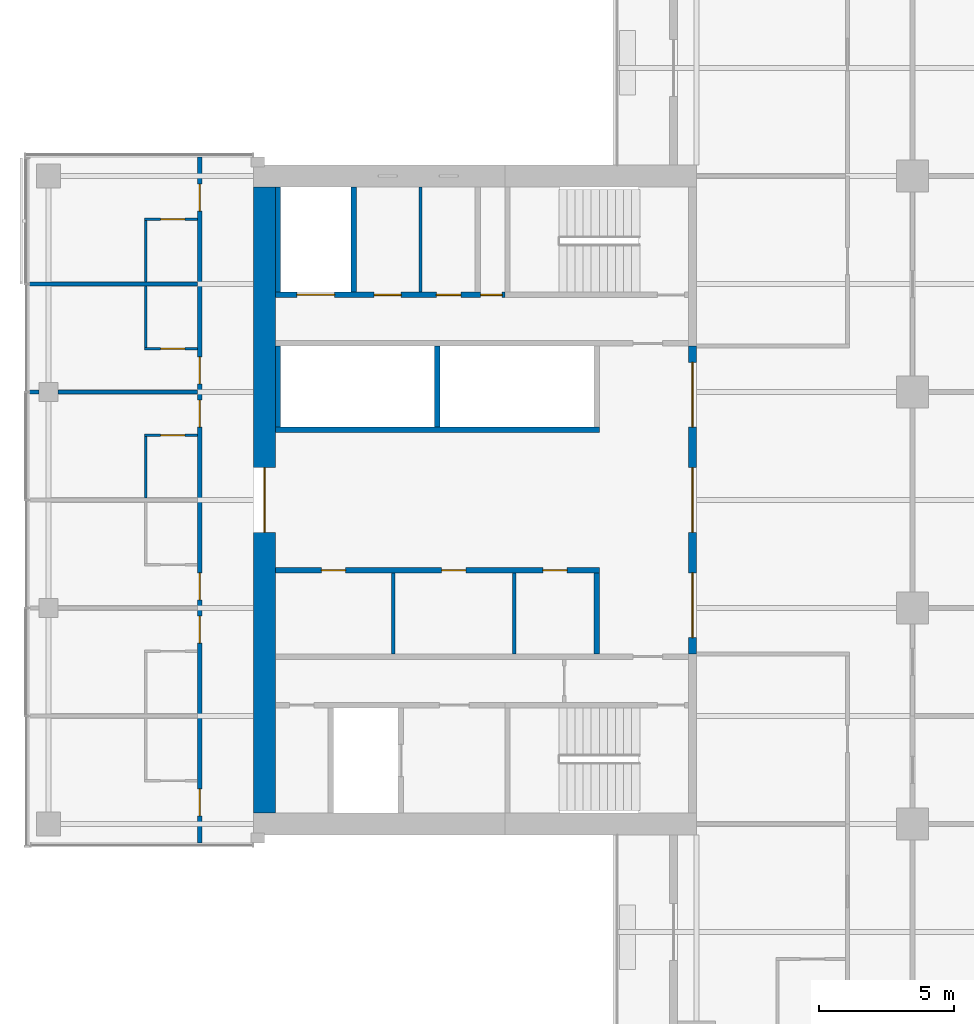
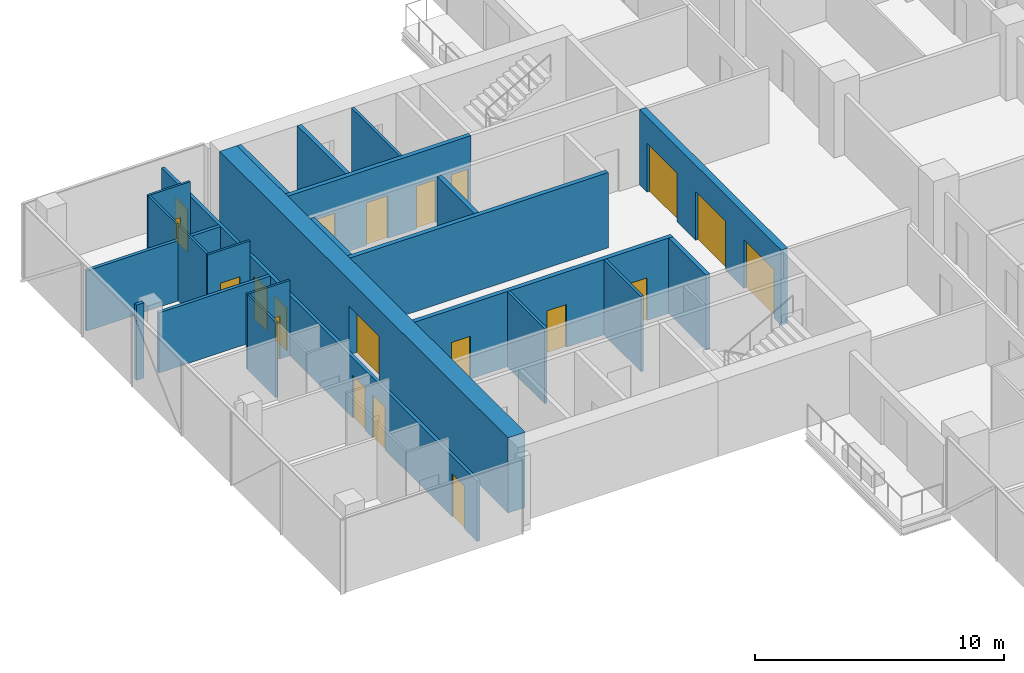
# One storey, part 18 of 27: 23 walls, 20 doors, 20 openings.
"""IFC4 building model written with IfcOpenShell, lengths in metres."""

from ifc_helpers import new_model, si_unit, direction, frame, frame_2d, origin, place, context, subcontext, project, spatial, rectangle, extrude, material, layer, layer_set, type_object, element, fill, save


model = new_model("IFC4")

# Units and contexts
model_context = context("Model", 3, precision=1e-05, world=origin(), true_north=direction((0.0, 1.0)))
body_context = subcontext(model_context, "Body", "Model", "MODEL_VIEW")
ifc_project = project(units=[si_unit("LENGTHUNIT", "METRE"), si_unit("AREAUNIT", "SQUARE_METRE"), si_unit("VOLUMEUNIT", "CUBIC_METRE"), si_unit("PLANEANGLEUNIT", "RADIAN"), si_unit("MASSUNIT", "GRAM", prefix="KILO")], contexts=[model_context])

# Site, building, storey
site_placement = place(None, origin())
site = spatial("IfcSite", under=ifc_project, at=site_placement, CompositionType="ELEMENT")
building_placement = place(site_placement, origin())
building = spatial("IfcBuilding", under=site, at=building_placement, Name="Crosswind Convention Tower", CompositionType="ELEMENT")
storey_placement = place(building_placement, frame((0.0, 0.0, 72.0)))
storey = spatial("IfcBuildingStorey", under=building, at=storey_placement, Name="L12", CompositionType="ELEMENT", Elevation=72.0)

# Wall, opening, door
ifc_material_1 = material(Name="Concrete C60/75", Category="concrete")
ifc_layer_1 = layer(ifc_material_1, 0.800048828125)
ifc_layer_set_1 = layer_set([ifc_layer_1], Name="Concrete C60/75")
wall_type_1 = type_object("IfcWallType", Name="Concrete core wall 800", PredefinedType="SHEAR", material=ifc_layer_set_1)
wall_1_placement = place(storey_placement, frame((97.0, 111.60009765625, 0.0), z_axis=(0.0, 0.0, 1.0), x_axis=(0.0, -1.0, 0.0)))
wall_1 = element("IfcWall", 1, at=wall_1_placement, inside=storey, type_object=wall_type_1, Name="Wall O W L12", PredefinedType="SHEAR", context=body_context, shape_type="SweptSolid", body=[
    extrude(rectangle(XDim=23.2001953125, YDim=0.800048828125, at=frame_2d((11.60009765625, 0.0))), origin(), (0.0, 0.0, 1.0), 3.699951171875),
])
opening_1_placement = place(wall_1_placement, frame((10.39990234375, 0.0, 0.0)))
opening_1 = element("IfcOpeningElement", 2, at=opening_1_placement, cuts=wall_1, Name="Opening D100", PredefinedType="OPENING", context=body_context, shape_type="SweptSolid", body=[
    extrude(rectangle(XDim=2.39990234375, YDim=2.39990234375, at=frame_2d((1.199951171875, 1.199951171875))), frame((0.0, 0.409912109375, 0.0), z_axis=(0.0, -1.0, 0.0), x_axis=(1.0, 0.0, 0.0)), (0.0, 0.0, 1.0), 0.820068359375),
])
ifc_material_2 = material(Name="Steel fire door with glazed vision panels", Category="steel")
door_type_1 = type_object("IfcDoorType", Name="Fire-rated double door 2400x2400", OperationType="DOUBLE_DOOR_SINGLE_SWING", PredefinedType="DOOR", material=ifc_material_2)
door_1_placement = place(opening_1_placement, origin())
door_1 = element("IfcDoor", 3, at=door_1_placement, inside=storey, type_object=door_type_1, Name="Lobby outer door L12", ObjectType="D100", OperationType="DOUBLE_DOOR_SINGLE_SWING", OverallHeight=2.39990234375, OverallWidth=2.39990234375, PredefinedType="DOOR", context=body_context, shape_type="SweptSolid", body=[
    extrude(rectangle(XDim=2.39990234375, YDim=2.39990234375, at=frame_2d((1.199951171875, 1.199951171875))), frame((0.0, 0.02490234375, 0.0), z_axis=(0.0, -1.0, 0.0), x_axis=(1.0, 0.0, 0.0)), (0.0, 0.0, 1.0), 0.050048828125),
])
fill(opening_1, door_1)

# Wall, openings, doors
ifc_material_3 = material(Name="Concrete C50/60", Category="concrete")
ifc_layer_2 = layer(ifc_material_3, 0.300048828125)
ifc_layer_set_2 = layer_set([ifc_layer_2], Name="Concrete C50/60")
wall_type_2 = type_object("IfcWallType", Name="Concrete inner core wall 300", PredefinedType="SHEAR", material=ifc_layer_set_2)
wall_2_placement = place(storey_placement, frame((112.85009765625, 105.699951171875, 0.0), z_axis=(0.0, 0.0, 1.0), x_axis=(0.0, -1.0, 0.0)))
wall_2 = element("IfcWall", 4, at=wall_2_placement, inside=storey, type_object=wall_type_2, Name="Wall SCR W L12", PredefinedType="SHEAR", context=body_context, shape_type="SweptSolid", body=[
    extrude(rectangle(XDim=11.39990234375, YDim=0.300048828125, at=frame_2d((5.699951171875, 0.0))), origin(), (0.0, 0.0, 1.0), 3.699951171875),
])
opening_2_placement = place(wall_2_placement, frame((0.60009765625, 0.0, 0.0)))
opening_2 = element("IfcOpeningElement", 5, at=opening_2_placement, cuts=wall_2, Name="Opening D100", PredefinedType="OPENING", context=body_context, shape_type="SweptSolid", body=[
    extrude(rectangle(XDim=2.39990234375, YDim=2.39990234375, at=frame_2d((1.199951171875, 1.199951171875))), frame((0.0, 0.159912109375, 0.0), z_axis=(0.0, -1.0, 0.0), x_axis=(1.0, 0.0, 0.0)), (0.0, 0.0, 1.0), 0.320068359375),
])
opening_3_placement = place(wall_2_placement, frame((4.5, 0.0, 0.0)))
opening_3 = element("IfcOpeningElement", 6, at=opening_3_placement, cuts=wall_2, Name="Opening D100", PredefinedType="OPENING", context=body_context, shape_type="SweptSolid", body=[
    extrude(rectangle(XDim=2.39990234375, YDim=2.39990234375, at=frame_2d((1.199951171875, 1.199951171875))), frame((0.0, 0.159912109375, 0.0), z_axis=(0.0, -1.0, 0.0), x_axis=(1.0, 0.0, 0.0)), (0.0, 0.0, 1.0), 0.320068359375),
])
opening_4_placement = place(wall_2_placement, frame((8.39990234375, 0.0, 0.0)))
opening_4 = element("IfcOpeningElement", 7, at=opening_4_placement, cuts=wall_2, Name="Opening D100", PredefinedType="OPENING", context=body_context, shape_type="SweptSolid", body=[
    extrude(rectangle(XDim=2.39990234375, YDim=2.39990234375, at=frame_2d((1.199951171875, 1.199951171875))), frame((0.0, 0.159912109375, 0.0), z_axis=(0.0, -1.0, 0.0), x_axis=(1.0, 0.0, 0.0)), (0.0, 0.0, 1.0), 0.320068359375),
])
door_2_placement = place(opening_2_placement, origin())
door_2 = element("IfcDoor", 8, at=door_2_placement, inside=storey, type_object=door_type_1, Name="Lobby door 1 L12", ObjectType="D100", OperationType="DOUBLE_DOOR_SINGLE_SWING", OverallHeight=2.39990234375, OverallWidth=2.39990234375, PredefinedType="DOOR", context=body_context, shape_type="SweptSolid", body=[
    extrude(rectangle(XDim=2.39990234375, YDim=2.39990234375, at=frame_2d((1.199951171875, 1.199951171875))), frame((0.0, 0.02490234375, 0.0), z_axis=(0.0, -1.0, 0.0), x_axis=(1.0, 0.0, 0.0)), (0.0, 0.0, 1.0), 0.050048828125),
])
fill(opening_2, door_2)
door_3_placement = place(opening_3_placement, origin())
door_3 = element("IfcDoor", 9, at=door_3_placement, inside=storey, type_object=door_type_1, Name="Lobby door 2 L12", ObjectType="D100", OperationType="DOUBLE_DOOR_SINGLE_SWING", OverallHeight=2.39990234375, OverallWidth=2.39990234375, PredefinedType="DOOR", context=body_context, shape_type="SweptSolid", body=[
    extrude(rectangle(XDim=2.39990234375, YDim=2.39990234375, at=frame_2d((1.199951171875, 1.199951171875))), frame((0.0, 0.02490234375, 0.0), z_axis=(0.0, -1.0, 0.0), x_axis=(1.0, 0.0, 0.0)), (0.0, 0.0, 1.0), 0.050048828125),
])
fill(opening_3, door_3)
door_4_placement = place(opening_4_placement, origin())
door_4 = element("IfcDoor", 10, at=door_4_placement, inside=storey, type_object=door_type_1, Name="Lobby door 3 L12", ObjectType="D100", OperationType="DOUBLE_DOOR_SINGLE_SWING", OverallHeight=2.39990234375, OverallWidth=2.39990234375, PredefinedType="DOOR", context=body_context, shape_type="SweptSolid", body=[
    extrude(rectangle(XDim=2.39990234375, YDim=2.39990234375, at=frame_2d((1.199951171875, 1.199951171875))), frame((0.0, 0.02490234375, 0.0), z_axis=(0.0, -1.0, 0.0), x_axis=(1.0, 0.0, 0.0)), (0.0, 0.0, 1.0), 0.050048828125),
])
fill(opening_4, door_4)

# Wall
ifc_layer_3 = layer(ifc_material_3, 0.199951171875)
ifc_layer_set_3 = layer_set([ifc_layer_3], Name="Concrete C50/60")
wall_type_3 = type_object("IfcWallType", Name="Concrete shaft and stair wall 200", PredefinedType="SHEAR", material=ifc_layer_set_3)
wall_3_placement = place(storey_placement, frame((109.300048828125, 97.300048828125, 0.0), z_axis=(0.0, 0.0, 1.0), x_axis=(0.0, -1.0, 0.0)))
element("IfcWall", 11, at=wall_3_placement, inside=storey, type_object=wall_type_3, Name="Wall RPEND W L12", PredefinedType="SHEAR", context=body_context, shape_type="SweptSolid", body=[
    extrude(rectangle(XDim=3.0, YDim=0.199951171875, at=frame_2d((1.5, 0.0))), origin(), (0.0, 0.0, 1.0), 3.699951171875),
])

# Wall, openings, doors
wall_4_placement = place(storey_placement, frame((109.39990234375, 97.39990234375, 0.0), z_axis=(0.0, 0.0, 1.0), x_axis=(-1.0, 0.0, 0.0)))
wall_4 = element("IfcWall", 12, at=wall_4_placement, inside=storey, type_object=wall_type_3, Name="Wall RPFRONT W L12", PredefinedType="SHEAR", context=body_context, shape_type="SweptSolid", body=[
    extrude(rectangle(XDim=12.0, YDim=0.199951171875, at=frame_2d((6.0, 0.0))), origin(), (0.0, 0.0, 1.0), 3.699951171875),
])
opening_5_placement = place(wall_4_placement, frame((1.19384765625, 0.0, 0.0)))
opening_5 = element("IfcOpeningElement", 13, at=opening_5_placement, cuts=wall_4, Name="Opening D106", PredefinedType="OPENING", context=body_context, shape_type="SweptSolid", body=[
    extrude(rectangle(XDim=0.89990234375, YDim=2.10009765625, at=frame_2d((0.449951171875, 1.050048828125))), frame((0.0, 0.10986328125, 0.0), z_axis=(0.0, -1.0, 0.0), x_axis=(1.0, 0.0, 0.0)), (0.0, 0.0, 1.0), 0.219970703125),
])
opening_6_placement = place(wall_4_placement, frame((4.94189453125, 0.0, 0.0)))
opening_6 = element("IfcOpeningElement", 14, at=opening_6_placement, cuts=wall_4, Name="Opening D106", PredefinedType="OPENING", context=body_context, shape_type="SweptSolid", body=[
    extrude(rectangle(XDim=0.89990234375, YDim=2.10009765625, at=frame_2d((0.449951171875, 1.050048828125))), frame((0.0, 0.10986328125, 0.0), z_axis=(0.0, -1.0, 0.0), x_axis=(1.0, 0.0, 0.0)), (0.0, 0.0, 1.0), 0.219970703125),
])
opening_7_placement = place(wall_4_placement, frame((9.398193359375, 0.0, 0.0)))
opening_7 = element("IfcOpeningElement", 15, at=opening_7_placement, cuts=wall_4, Name="Opening D106", PredefinedType="OPENING", context=body_context, shape_type="SweptSolid", body=[
    extrude(rectangle(XDim=0.89990234375, YDim=2.10009765625, at=frame_2d((0.449951171875, 1.050048828125))), frame((0.0, 0.10986328125, 0.0), z_axis=(0.0, -1.0, 0.0), x_axis=(1.0, 0.0, 0.0)), (0.0, 0.0, 1.0), 0.219970703125),
])
ifc_material_4 = material(Name="Timber door", Category="wood")
door_type_2 = type_object("IfcDoorType", Name="Single leaf door 900x2100", OperationType="NOTDEFINED", PredefinedType="DOOR", material=ifc_material_4)
door_5_placement = place(opening_5_placement, origin())
door_5 = element("IfcDoor", 16, at=door_5_placement, inside=storey, type_object=door_type_2, Name="Door to meeting room L12", ObjectType="D106", OperationType="SINGLE_SWING_RIGHT", OverallHeight=2.10009765625, OverallWidth=0.89990234375, PredefinedType="DOOR", context=body_context, shape_type="SweptSolid", body=[
    extrude(rectangle(XDim=0.89990234375, YDim=2.10009765625, at=frame_2d((0.449951171875, 1.050048828125))), frame((0.0, 0.02490234375, 0.0), z_axis=(0.0, -1.0, 0.0), x_axis=(1.0, 0.0, 0.0)), (0.0, 0.0, 1.0), 0.050048828125),
])
fill(opening_5, door_5)
door_6_placement = place(opening_6_placement, origin())
door_6 = element("IfcDoor", 17, at=door_6_placement, inside=storey, type_object=door_type_2, Name="Door to business centre L12", ObjectType="D106", OperationType="SINGLE_SWING_RIGHT", OverallHeight=2.10009765625, OverallWidth=0.89990234375, PredefinedType="DOOR", context=body_context, shape_type="SweptSolid", body=[
    extrude(rectangle(XDim=0.89990234375, YDim=2.10009765625, at=frame_2d((0.449951171875, 1.050048828125))), frame((0.0, 0.02490234375, 0.0), z_axis=(0.0, -1.0, 0.0), x_axis=(1.0, 0.0, 0.0)), (0.0, 0.0, 1.0), 0.050048828125),
])
fill(opening_6, door_6)
door_7_placement = place(opening_7_placement, origin())
door_7 = element("IfcDoor", 18, at=door_7_placement, inside=storey, type_object=door_type_2, Name="Door to ice and vending room L12", ObjectType="D106", OperationType="SINGLE_SWING_RIGHT", OverallHeight=2.10009765625, OverallWidth=0.89990234375, PredefinedType="DOOR", context=body_context, shape_type="SweptSolid", body=[
    extrude(rectangle(XDim=0.89990234375, YDim=2.10009765625, at=frame_2d((0.449951171875, 1.050048828125))), frame((0.0, 0.02490234375, 0.0), z_axis=(0.0, -1.0, 0.0), x_axis=(1.0, 0.0, 0.0)), (0.0, 0.0, 1.0), 0.050048828125),
])
fill(opening_7, door_7)

# Walls
for number, where, z_axis, x_axis, name in (
    (19, (103.39990234375, 105.699951171875, 0.0), (0.0, 0.0, 1.0), (0.0, -1.0, 0.0), "Wall RMSEP W L12"),
    (20, (97.5, 105.699951171875, 0.0), (0.0, 0.0, 1.0), (0.0, -1.0, 0.0), "Wall RMEAST W L12"),
):
    element("IfcWall", number, at=place(storey_placement, frame(where, z_axis=z_axis, x_axis=x_axis)), inside=storey, type_object=wall_type_3, Name=name, PredefinedType="SHEAR", context=body_context, shape_type="SweptSolid", body=[
        extrude(rectangle(XDim=3.0, YDim=0.199951171875, at=frame_2d((1.5, 0.0))), origin(), (0.0, 0.0, 1.0), 3.699951171875),
    ])
wall_5_placement = place(storey_placement, frame((109.39990234375, 102.60009765625, 0.0), z_axis=(0.0, 0.0, 1.0), x_axis=(-1.0, 0.0, 0.0)))
element("IfcWall", 21, at=wall_5_placement, inside=storey, type_object=wall_type_3, Name="Wall RMFRONT W L12", PredefinedType="SHEAR", context=body_context, shape_type="SweptSolid", body=[
    extrude(rectangle(XDim=12.0, YDim=0.199951171875, at=frame_2d((6.0, 0.0))), origin(), (0.0, 0.0, 1.0), 3.699951171875),
])
for number, where, z_axis, x_axis, name in (
    (22, (100.300048828125, 111.60009765625, 0.0), (0.0, 0.0, 1.0), (0.0, -1.0, 0.0), "Wall MFSW W L12"),
    (23, (97.5, 111.60009765625, 0.0), (0.0, 0.0, 1.0), (0.0, -1.0, 0.0), "Wall MFSE W L12"),
):
    element("IfcWall", number, at=place(storey_placement, frame(where, z_axis=z_axis, x_axis=x_axis)), inside=storey, type_object=wall_type_3, Name=name, PredefinedType="SHEAR", context=body_context, shape_type="SweptSolid", body=[
        extrude(rectangle(XDim=3.900146484375, YDim=0.199951171875, at=frame_2d((1.9501953125, 0.0))), origin(), (0.0, 0.0, 1.0), 3.699951171875),
    ])

# Wall, openings, doors
wall_6_placement = place(storey_placement, frame((105.89990234375, 107.60009765625, 0.0), z_axis=(0.0, 0.0, 1.0), x_axis=(-1.0, 0.0, 0.0)))
wall_6 = element("IfcWall", 24, at=wall_6_placement, inside=storey, type_object=wall_type_3, Name="Wall MCX W L12", PredefinedType="SHEAR", context=body_context, shape_type="SweptSolid", body=[
    extrude(rectangle(XDim=8.5, YDim=0.199951171875, at=frame_2d((4.25, 0.0))), origin(), (0.0, 0.0, 1.0), 3.699951171875),
])
opening_8_placement = place(wall_6_placement, frame((0.10009765625, 0.0, 0.0)))
opening_8 = element("IfcOpeningElement", 25, at=opening_8_placement, cuts=wall_6, Name="Opening D105", PredefinedType="OPENING", context=body_context, shape_type="SweptSolid", body=[
    extrude(rectangle(XDim=0.800048828125, YDim=2.10009765625, at=frame_2d((0.39990234375, 1.050048828125))), frame((0.0, 0.10986328125, 0.0), z_axis=(0.0, -1.0, 0.0), x_axis=(1.0, 0.0, 0.0)), (0.0, 0.0, 1.0), 0.219970703125),
])
opening_9_placement = place(wall_6_placement, frame((1.630859375, 0.0, 0.0)))
opening_9 = element("IfcOpeningElement", 26, at=opening_9_placement, cuts=wall_6, Name="Opening D106", PredefinedType="OPENING", context=body_context, shape_type="SweptSolid", body=[
    extrude(rectangle(XDim=0.89990234375, YDim=2.10009765625, at=frame_2d((0.449951171875, 1.050048828125))), frame((0.0, 0.10986328125, 0.0), z_axis=(0.0, -1.0, 0.0), x_axis=(1.0, 0.0, 0.0)), (0.0, 0.0, 1.0), 0.219970703125),
])
opening_10_placement = place(wall_6_placement, frame((3.84326171875, 0.0, 0.0)))
opening_10 = element("IfcOpeningElement", 27, at=opening_10_placement, cuts=wall_6, Name="Opening D103", PredefinedType="OPENING", context=body_context, shape_type="SweptSolid", body=[
    extrude(rectangle(XDim=1.0, YDim=2.10009765625, at=frame_2d((0.5, 1.050048828125))), frame((0.0, 0.10986328125, 0.0), z_axis=(0.0, -1.0, 0.0), x_axis=(1.0, 0.0, 0.0)), (0.0, 0.0, 1.0), 0.219970703125),
])
opening_11_placement = place(wall_6_placement, frame((6.300048828125, 0.0, 0.0)))
opening_11 = element("IfcOpeningElement", 28, at=opening_11_placement, cuts=wall_6, Name="Opening LD2", PredefinedType="OPENING", context=body_context, shape_type="SweptSolid", body=[
    extrude(rectangle(XDim=1.39990234375, YDim=2.10009765625, at=frame_2d((0.699951171875, 1.050048828125))), frame((0.0, 0.10986328125, 0.0), z_axis=(0.0, -1.0, 0.0), x_axis=(1.0, 0.0, 0.0)), (0.0, 0.0, 1.0), 0.219970703125),
])
ifc_material_5 = material(Name="Steel fire door", Category="steel")
door_type_3 = type_object("IfcDoorType", Name="Fire-rated single door 1000x2100", OperationType="NOTDEFINED", PredefinedType="DOOR", material=ifc_material_5)
door_8_placement = place(opening_10_placement, frame((1.0, 0.0, 0.0), z_axis=(0.0, 0.0, 1.0), x_axis=(-1.0, 0.0, 0.0)))
door_8 = element("IfcDoor", 29, at=door_8_placement, inside=storey, type_object=door_type_3, Name="Door to accessible wc L12", ObjectType="D103", OperationType="SINGLE_SWING_LEFT", OverallHeight=2.10009765625, OverallWidth=1.0, PredefinedType="DOOR", context=body_context, shape_type="SweptSolid", body=[
    extrude(rectangle(XDim=1.0, YDim=2.10009765625, at=frame_2d((0.5, 1.050048828125))), frame((0.0, 0.02490234375, 0.0), z_axis=(0.0, -1.0, 0.0), x_axis=(1.0, 0.0, 0.0)), (0.0, 0.0, 1.0), 0.050048828125),
])
fill(opening_10, door_8)
ifc_material_6 = material(Name="Stainless steel", Category="steel")
door_type_4 = type_object("IfcDoorType", Name="Lift landing door 1400x2100", OperationType="DOUBLE_DOOR_SLIDING", PredefinedType="DOOR", material=ifc_material_6)
door_9_placement = place(opening_11_placement, origin())
door_9 = element("IfcDoor", 30, at=door_9_placement, inside=storey, type_object=door_type_4, Name="Landing door SV2 L12", ObjectType="LD2", OperationType="DOUBLE_DOOR_SLIDING", OverallHeight=2.10009765625, OverallWidth=1.39990234375, PredefinedType="DOOR", context=body_context, shape_type="SweptSolid", body=[
    extrude(rectangle(XDim=1.39990234375, YDim=2.10009765625, at=frame_2d((0.699951171875, 1.050048828125))), frame((0.0, 0.02490234375, 0.0), z_axis=(0.0, -1.0, 0.0), x_axis=(1.0, 0.0, 0.0)), (0.0, 0.0, 1.0), 0.050048828125),
])
fill(opening_11, door_9)
door_type_5 = type_object("IfcDoorType", Name="Riser access door 800x2100", OperationType="NOTDEFINED", PredefinedType="DOOR", material=ifc_material_5)
door_10_placement = place(opening_8_placement, frame((0.800048828125, 0.0, 0.0), z_axis=(0.0, 0.0, 1.0), x_axis=(-1.0, 0.0, 0.0)))
door_10 = element("IfcDoor", 31, at=door_10_placement, inside=storey, type_object=door_type_5, Name="Riser door L12", ObjectType="D105", OperationType="SINGLE_SWING_LEFT", OverallHeight=2.10009765625, OverallWidth=0.800048828125, PredefinedType="DOOR", context=body_context, shape_type="SweptSolid", body=[
    extrude(rectangle(XDim=0.800048828125, YDim=2.10009765625, at=frame_2d((0.39990234375, 1.050048828125))), frame((0.0, 0.02490234375, 0.0), z_axis=(0.0, -1.0, 0.0), x_axis=(1.0, 0.0, 0.0)), (0.0, 0.0, 1.0), 0.050048828125),
])
fill(opening_8, door_10)
door_11_placement = place(opening_9_placement, frame((0.89990234375, 0.0, 0.0), z_axis=(0.0, 0.0, 1.0), x_axis=(-1.0, 0.0, 0.0)))
door_11 = element("IfcDoor", 32, at=door_11_placement, inside=storey, type_object=door_type_2, Name="Door to wc L12", ObjectType="D106", OperationType="SINGLE_SWING_LEFT", OverallHeight=2.10009765625, OverallWidth=0.89990234375, PredefinedType="DOOR", context=body_context, shape_type="SweptSolid", body=[
    extrude(rectangle(XDim=0.89990234375, YDim=2.10009765625, at=frame_2d((0.449951171875, 1.050048828125))), frame((0.0, 0.02490234375, 0.0), z_axis=(0.0, -1.0, 0.0), x_axis=(1.0, 0.0, 0.0)), (0.0, 0.0, 1.0), 0.050048828125),
])
fill(opening_9, door_11)

# Walls
ifc_material_7 = material(Name="Gypsum plasterboard partition", Category="gypsum")
ifc_layer_4 = layer(ifc_material_7, 0.125)
ifc_layer_set_4 = layer_set([ifc_layer_4], Name="Drywall partition wall 125")
wall_type_4 = type_object("IfcWallType", Name="Drywall partition wall 125", PredefinedType="PARTITIONING", material=ifc_layer_set_4)
for number, where, z_axis, x_axis, name in (
    (33, (106.25, 97.300048828125, 0.0), (0.0, 0.0, 1.0), (0.0, -1.0, 0.0), "Wall RPP1 W L12"),
    (34, (101.76611328125, 97.300048828125, 0.0), (0.0, 0.0, 1.0), (0.0, -1.0, 0.0), "Wall RPP2 W L12"),
):
    element("IfcWall", number, at=place(storey_placement, frame(where, z_axis=z_axis, x_axis=x_axis)), inside=storey, type_object=wall_type_4, Name=name, PredefinedType="PARTITIONING", context=body_context, shape_type="SweptSolid", body=[
        extrude(rectangle(XDim=3.0, YDim=0.125, at=frame_2d((1.5, 0.0))), origin(), (0.0, 0.0, 1.0), 3.699951171875),
    ])
wall_7_placement = place(storey_placement, frame((102.77587890625, 111.60009765625, 0.0), z_axis=(0.0, 0.0, 1.0), x_axis=(0.0, -1.0, 0.0)))
element("IfcWall", 35, at=wall_7_placement, inside=storey, type_object=wall_type_4, Name="Wall MWP1 W L12", PredefinedType="PARTITIONING", context=body_context, shape_type="SweptSolid", body=[
    extrude(rectangle(XDim=3.900146484375, YDim=0.125, at=frame_2d((1.9501953125, 0.0))), origin(), (0.0, 0.0, 1.0), 3.699951171875),
])
ifc_material_8 = material(Name="Acoustic plasterboard partition", Category="gypsum")
ifc_layer_5 = layer(ifc_material_8, 0.14990234375)
ifc_layer_set_5 = layer_set([ifc_layer_5], Name="GUEST ROOM WALL 150")
wall_type_5 = type_object("IfcWallType", Name="GUEST ROOM WALL 150", PredefinedType="PARTITIONING", material=ifc_layer_set_5)
wall_8_placement = place(storey_placement, frame((88.300048828125, 104.0, 0.0), z_axis=(0.0, 0.0, 1.0), x_axis=(1.0, 0.0, 0.0)))
element("IfcWall", 36, at=wall_8_placement, inside=storey, type_object=wall_type_5, Name="Guest Room Wall 38", PredefinedType="PARTITIONING", context=body_context, shape_type="SweptSolid", body=[
    extrude(rectangle(XDim=0.349853515625, YDim=0.14990234375, at=frame_2d((0.1748046875, 0.0))), origin(), (0.0, 0.0, 1.0), 3.699951171875),
])
wall_9_placement = place(storey_placement, frame((89.35009765625, 104.0, 0.0), z_axis=(0.0, 0.0, 1.0), x_axis=(1.0, 0.0, 0.0)))
element("IfcWall", 37, at=wall_9_placement, inside=storey, type_object=wall_type_5, Name="Guest Room Wall 39", PredefinedType="PARTITIONING", context=body_context, shape_type="SweptSolid", body=[
    extrude(rectangle(XDim=5.1748046875, YDim=0.14990234375, at=frame_2d((2.58740234375, 0.0))), origin(), (0.0, 0.0, 1.0), 2.956298828125),
])
wall_10_placement = place(storey_placement, frame((88.300048828125, 108.0, 0.0), z_axis=(0.0, 0.0, 1.0), x_axis=(1.0, 0.0, 0.0)))
element("IfcWall", 38, at=wall_10_placement, inside=storey, type_object=wall_type_5, Name="Guest Room Wall 47", PredefinedType="PARTITIONING", context=body_context, shape_type="SweptSolid", body=[
    extrude(rectangle(XDim=6.224853515625, YDim=0.14990234375, at=frame_2d((3.1123046875, 0.0))), origin(), (0.0, 0.0, 1.0), 2.962890625),
])

# Wall, openings, doors
wall_11_placement = place(storey_placement, frame((94.60009765625, 87.300048828125, 0.0), z_axis=(0.0, 0.0, 1.0), x_axis=(0.0, 1.0, 0.0)))
wall_11 = element("IfcWall", 39, at=wall_11_placement, inside=storey, type_object=wall_type_5, Name="Guest Room Wall 74", PredefinedType="PARTITIONING", context=body_context, shape_type="SweptSolid", body=[
    extrude(rectangle(XDim=25.39990234375, YDim=0.14990234375, at=frame_2d((12.699951171875, 0.0))), origin(), (0.0, 0.0, 1.0), 2.956298828125),
])
opening_12_placement = place(wall_11_placement, frame((1.0, 0.0, 0.0)))
opening_12 = element("IfcOpeningElement", 40, at=opening_12_placement, cuts=wall_11, Name="Opening 12.045", PredefinedType="OPENING", context=body_context, shape_type="SweptSolid", body=[
    extrude(rectangle(XDim=1.0, YDim=2.10009765625, at=frame_2d((0.5, 1.050048828125))), frame((0.0, 0.0849609375, 0.0), z_axis=(0.0, -1.0, 0.0), x_axis=(1.0, 0.0, 0.0)), (0.0, 0.0, 1.0), 0.169921875),
])
opening_13_placement = place(wall_11_placement, frame((7.39990234375, 0.0, 0.0)))
opening_13 = element("IfcOpeningElement", 41, at=opening_13_placement, cuts=wall_11, Name="Opening 12.047", PredefinedType="OPENING", context=body_context, shape_type="SweptSolid", body=[
    extrude(rectangle(XDim=1.0, YDim=2.10009765625, at=frame_2d((0.5, 1.050048828125))), frame((0.0, 0.0849609375, 0.0), z_axis=(0.0, -1.0, 0.0), x_axis=(1.0, 0.0, 0.0)), (0.0, 0.0, 1.0), 0.169921875),
])
opening_14_placement = place(wall_11_placement, frame((9.0, 0.0, 0.0)))
opening_14 = element("IfcOpeningElement", 42, at=opening_14_placement, cuts=wall_11, Name="Opening 12.049", PredefinedType="OPENING", context=body_context, shape_type="SweptSolid", body=[
    extrude(rectangle(XDim=1.0, YDim=2.10009765625, at=frame_2d((0.5, 1.050048828125))), frame((0.0, 0.0849609375, 0.0), z_axis=(0.0, -1.0, 0.0), x_axis=(1.0, 0.0, 0.0)), (0.0, 0.0, 1.0), 0.169921875),
])
opening_15_placement = place(wall_11_placement, frame((15.39990234375, 0.0, 0.0)))
opening_15 = element("IfcOpeningElement", 43, at=opening_15_placement, cuts=wall_11, Name="Opening 12.051", PredefinedType="OPENING", context=body_context, shape_type="SweptSolid", body=[
    extrude(rectangle(XDim=1.0, YDim=2.10009765625, at=frame_2d((0.5, 1.050048828125))), frame((0.0, 0.0849609375, 0.0), z_axis=(0.0, -1.0, 0.0), x_axis=(1.0, 0.0, 0.0)), (0.0, 0.0, 1.0), 0.169921875),
])
opening_16_placement = place(wall_11_placement, frame((17.0, 0.0, 0.0)))
opening_16 = element("IfcOpeningElement", 44, at=opening_16_placement, cuts=wall_11, Name="Opening 12.053", PredefinedType="OPENING", context=body_context, shape_type="SweptSolid", body=[
    extrude(rectangle(XDim=1.0, YDim=2.10009765625, at=frame_2d((0.5, 1.050048828125))), frame((0.0, 0.0849609375, 0.0), z_axis=(0.0, -1.0, 0.0), x_axis=(1.0, 0.0, 0.0)), (0.0, 0.0, 1.0), 0.169921875),
])
opening_17_placement = place(wall_11_placement, frame((23.39990234375, 0.0, 0.0)))
opening_17 = element("IfcOpeningElement", 45, at=opening_17_placement, cuts=wall_11, Name="Opening 12.055", PredefinedType="OPENING", context=body_context, shape_type="SweptSolid", body=[
    extrude(rectangle(XDim=1.0, YDim=2.10009765625, at=frame_2d((0.5, 1.050048828125))), frame((0.0, 0.0849609375, 0.0), z_axis=(0.0, -1.0, 0.0), x_axis=(1.0, 0.0, 0.0)), (0.0, 0.0, 1.0), 0.169921875),
])
ifc_material_9 = material(Name="Timber fire door", Category="wood")
door_type_6 = type_object("IfcDoorType", Name="GUEST ROOM DOOR 1000X2100", OperationType="NOTDEFINED", PredefinedType="DOOR", material=ifc_material_9)
door_12_placement = place(opening_12_placement, origin())
door_12 = element("IfcDoor", 46, at=door_12_placement, inside=storey, type_object=door_type_6, Name="Door 12.045", ObjectType="D1", OperationType="SINGLE_SWING_RIGHT", OverallHeight=2.10009765625, OverallWidth=1.0, PredefinedType="DOOR", context=body_context, shape_type="SweptSolid", body=[
    extrude(rectangle(XDim=1.0, YDim=2.10009765625, at=frame_2d((0.5, 1.050048828125))), frame((0.0, 0.02490234375, 0.0), z_axis=(0.0, -1.0, 0.0), x_axis=(1.0, 0.0, 0.0)), (0.0, 0.0, 1.0), 0.050048828125),
])
fill(opening_12, door_12)
door_13_placement = place(opening_13_placement, origin())
door_13 = element("IfcDoor", 47, at=door_13_placement, inside=storey, type_object=door_type_6, Name="Door 12.047", ObjectType="D1", OperationType="SINGLE_SWING_RIGHT", OverallHeight=2.10009765625, OverallWidth=1.0, PredefinedType="DOOR", context=body_context, shape_type="SweptSolid", body=[
    extrude(rectangle(XDim=1.0, YDim=2.10009765625, at=frame_2d((0.5, 1.050048828125))), frame((0.0, 0.02490234375, 0.0), z_axis=(0.0, -1.0, 0.0), x_axis=(1.0, 0.0, 0.0)), (0.0, 0.0, 1.0), 0.050048828125),
])
fill(opening_13, door_13)
door_14_placement = place(opening_14_placement, origin())
door_14 = element("IfcDoor", 48, at=door_14_placement, inside=storey, type_object=door_type_6, Name="Door 12.049", ObjectType="D1", OperationType="SINGLE_SWING_RIGHT", OverallHeight=2.10009765625, OverallWidth=1.0, PredefinedType="DOOR", context=body_context, shape_type="SweptSolid", body=[
    extrude(rectangle(XDim=1.0, YDim=2.10009765625, at=frame_2d((0.5, 1.050048828125))), frame((0.0, 0.02490234375, 0.0), z_axis=(0.0, -1.0, 0.0), x_axis=(1.0, 0.0, 0.0)), (0.0, 0.0, 1.0), 0.050048828125),
])
fill(opening_14, door_14)
door_15_placement = place(opening_15_placement, origin())
door_15 = element("IfcDoor", 49, at=door_15_placement, inside=storey, type_object=door_type_6, Name="Door 12.051", ObjectType="D1", OperationType="SINGLE_SWING_RIGHT", OverallHeight=2.10009765625, OverallWidth=1.0, PredefinedType="DOOR", context=body_context, shape_type="SweptSolid", body=[
    extrude(rectangle(XDim=1.0, YDim=2.10009765625, at=frame_2d((0.5, 1.050048828125))), frame((0.0, 0.02490234375, 0.0), z_axis=(0.0, -1.0, 0.0), x_axis=(1.0, 0.0, 0.0)), (0.0, 0.0, 1.0), 0.050048828125),
])
fill(opening_15, door_15)
door_16_placement = place(opening_16_placement, origin())
door_16 = element("IfcDoor", 50, at=door_16_placement, inside=storey, type_object=door_type_6, Name="Door 12.053", ObjectType="D1", OperationType="SINGLE_SWING_RIGHT", OverallHeight=2.10009765625, OverallWidth=1.0, PredefinedType="DOOR", context=body_context, shape_type="SweptSolid", body=[
    extrude(rectangle(XDim=1.0, YDim=2.10009765625, at=frame_2d((0.5, 1.050048828125))), frame((0.0, 0.02490234375, 0.0), z_axis=(0.0, -1.0, 0.0), x_axis=(1.0, 0.0, 0.0)), (0.0, 0.0, 1.0), 0.050048828125),
])
fill(opening_16, door_16)
door_17_placement = place(opening_17_placement, origin())
door_17 = element("IfcDoor", 51, at=door_17_placement, inside=storey, type_object=door_type_6, Name="Door 12.055", ObjectType="D1", OperationType="SINGLE_SWING_LEFT", OverallHeight=2.10009765625, OverallWidth=1.0, PredefinedType="DOOR", context=body_context, shape_type="SweptSolid", body=[
    extrude(rectangle(XDim=1.0, YDim=2.10009765625, at=frame_2d((0.5, 1.050048828125))), frame((0.0, 0.02490234375, 0.0), z_axis=(0.0, -1.0, 0.0), x_axis=(1.0, 0.0, 0.0)), (0.0, 0.0, 1.0), 0.050048828125),
])
fill(opening_17, door_17)

# Wall, opening, door
ifc_material_10 = material(Name="Water-resistant plasterboard partition", Category="gypsum")
ifc_layer_6 = layer(ifc_material_10, 0.10009765625)
ifc_layer_set_6 = layer_set([ifc_layer_6], Name="WET ROOM PARTITION 100")
wall_type_6 = type_object("IfcWallType", Name="WET ROOM PARTITION 100", PredefinedType="PLUMBINGWALL", material=ifc_layer_set_6)
wall_12_placement = place(storey_placement, frame((92.550048828125, 102.39990234375, 0.0), z_axis=(0.0, 0.0, 1.0), x_axis=(1.0, 0.0, 0.0)))
wall_12 = element("IfcWall", 52, at=wall_12_placement, inside=storey, type_object=wall_type_6, Name="Wet Room Partition 37", PredefinedType="PLUMBINGWALL", context=body_context, shape_type="SweptSolid", body=[
    extrude(rectangle(XDim=1.974853515625, YDim=0.10009765625, at=frame_2d((0.9873046875, 0.0))), origin(), (0.0, 0.0, 1.0), 3.699951171875),
])
opening_18_placement = place(wall_12_placement, frame((0.60009765625, 0.0, 0.0)))
opening_18 = element("IfcOpeningElement", 53, at=opening_18_placement, cuts=wall_12, Name="Opening 12.052", PredefinedType="OPENING", context=body_context, shape_type="SweptSolid", body=[
    extrude(rectangle(XDim=0.89990234375, YDim=2.10009765625, at=frame_2d((0.449951171875, 1.050048828125))), frame((0.0, 0.06005859375, 0.0), z_axis=(0.0, -1.0, 0.0), x_axis=(1.0, 0.0, 0.0)), (0.0, 0.0, 1.0), 0.1201171875),
])
door_type_7 = type_object("IfcDoorType", Name="EN-SUITE DOOR 900X2100", OperationType="NOTDEFINED", PredefinedType="DOOR", material=ifc_material_4)
door_18_placement = place(opening_18_placement, frame((0.89990234375, 0.0, 0.0), z_axis=(0.0, 0.0, 1.0), x_axis=(-1.0, 0.0, 0.0)))
door_18 = element("IfcDoor", 54, at=door_18_placement, inside=storey, type_object=door_type_7, Name="Door 12.052", ObjectType="D2", OperationType="SINGLE_SWING_LEFT", OverallHeight=2.10009765625, OverallWidth=0.89990234375, PredefinedType="DOOR", context=body_context, shape_type="SweptSolid", body=[
    extrude(rectangle(XDim=0.89990234375, YDim=2.10009765625, at=frame_2d((0.449951171875, 1.050048828125))), frame((0.0, 0.02490234375, 0.0), z_axis=(0.0, -1.0, 0.0), x_axis=(1.0, 0.0, 0.0)), (0.0, 0.0, 1.0), 0.050048828125),
])
fill(opening_18, door_18)

wall_13_placement = place(storey_placement, frame((92.550048828125, 105.60009765625, 0.0), z_axis=(0.0, 0.0, 1.0), x_axis=(1.0, 0.0, 0.0)))
wall_13 = element("IfcWall", 55, at=wall_13_placement, inside=storey, type_object=wall_type_6, Name="Wet Room Partition 43", PredefinedType="PLUMBINGWALL", context=body_context, shape_type="SweptSolid", body=[
    extrude(rectangle(XDim=1.974853515625, YDim=0.10009765625, at=frame_2d((0.9873046875, 0.0))), origin(), (0.0, 0.0, 1.0), 3.699951171875),
])
opening_19_placement = place(wall_13_placement, frame((0.60009765625, 0.0, 0.0)))
opening_19 = element("IfcOpeningElement", 56, at=opening_19_placement, cuts=wall_13, Name="Opening 12.054", PredefinedType="OPENING", context=body_context, shape_type="SweptSolid", body=[
    extrude(rectangle(XDim=0.89990234375, YDim=2.10009765625, at=frame_2d((0.449951171875, 1.050048828125))), frame((0.0, 0.06005859375, 0.0), z_axis=(0.0, -1.0, 0.0), x_axis=(1.0, 0.0, 0.0)), (0.0, 0.0, 1.0), 0.1201171875),
])
door_19_placement = place(opening_19_placement, origin())
door_19 = element("IfcDoor", 57, at=door_19_placement, inside=storey, type_object=door_type_7, Name="Door 12.054", ObjectType="D2", OperationType="SINGLE_SWING_RIGHT", OverallHeight=2.10009765625, OverallWidth=0.89990234375, PredefinedType="DOOR", context=body_context, shape_type="SweptSolid", body=[
    extrude(rectangle(XDim=0.89990234375, YDim=2.10009765625, at=frame_2d((0.449951171875, 1.050048828125))), frame((0.0, 0.02490234375, 0.0), z_axis=(0.0, -1.0, 0.0), x_axis=(1.0, 0.0, 0.0)), (0.0, 0.0, 1.0), 0.050048828125),
])
fill(opening_19, door_19)

wall_14_placement = place(storey_placement, frame((92.550048828125, 110.39990234375, 0.0), z_axis=(0.0, 0.0, 1.0), x_axis=(1.0, 0.0, 0.0)))
wall_14 = element("IfcWall", 58, at=wall_14_placement, inside=storey, type_object=wall_type_6, Name="Wet Room Partition 50", PredefinedType="PLUMBINGWALL", context=body_context, shape_type="SweptSolid", body=[
    extrude(rectangle(XDim=1.974853515625, YDim=0.10009765625, at=frame_2d((0.9873046875, 0.0))), origin(), (0.0, 0.0, 1.0), 3.699951171875),
])
opening_20_placement = place(wall_14_placement, frame((0.60009765625, 0.0, 0.0)))
opening_20 = element("IfcOpeningElement", 59, at=opening_20_placement, cuts=wall_14, Name="Opening 12.056", PredefinedType="OPENING", context=body_context, shape_type="SweptSolid", body=[
    extrude(rectangle(XDim=0.89990234375, YDim=2.10009765625, at=frame_2d((0.449951171875, 1.050048828125))), frame((0.0, 0.06005859375, 0.0), z_axis=(0.0, -1.0, 0.0), x_axis=(1.0, 0.0, 0.0)), (0.0, 0.0, 1.0), 0.1201171875),
])
door_20_placement = place(opening_20_placement, frame((0.89990234375, 0.0, 0.0), z_axis=(0.0, 0.0, 1.0), x_axis=(-1.0, 0.0, 0.0)))
door_20 = element("IfcDoor", 60, at=door_20_placement, inside=storey, type_object=door_type_7, Name="Door 12.056", ObjectType="D2", OperationType="SINGLE_SWING_LEFT", OverallHeight=2.10009765625, OverallWidth=0.89990234375, PredefinedType="DOOR", context=body_context, shape_type="SweptSolid", body=[
    extrude(rectangle(XDim=0.89990234375, YDim=2.10009765625, at=frame_2d((0.449951171875, 1.050048828125))), frame((0.0, 0.02490234375, 0.0), z_axis=(0.0, -1.0, 0.0), x_axis=(1.0, 0.0, 0.0)), (0.0, 0.0, 1.0), 0.050048828125),
])
fill(opening_20, door_20)

# Walls
for number, where, z_axis, x_axis, name in (
    (61, (92.60009765625, 100.074951171875, 0.0), (0.0, 0.0, 1.0), (0.0, 1.0, 0.0), "Wet Room Partition 71"),
    (62, (92.60009765625, 105.64990234375, 0.0), (0.0, 0.0, 1.0), (0.0, 1.0, 0.0), "Wet Room Partition 72"),
    (63, (92.60009765625, 108.074951171875, 0.0), (0.0, 0.0, 1.0), (0.0, 1.0, 0.0), "Wet Room Partition 73"),
):
    element("IfcWall", number, at=place(storey_placement, frame(where, z_axis=z_axis, x_axis=x_axis)), inside=storey, type_object=wall_type_6, Name=name, PredefinedType="PLUMBINGWALL", context=body_context, shape_type="SweptSolid", body=[
        extrude(rectangle(XDim=2.275146484375, YDim=0.10009765625, at=frame_2d((1.1376953125, 0.0))), origin(), (0.0, 0.0, 1.0), 3.699951171875),
    ])

save(model, "model.ifc")
